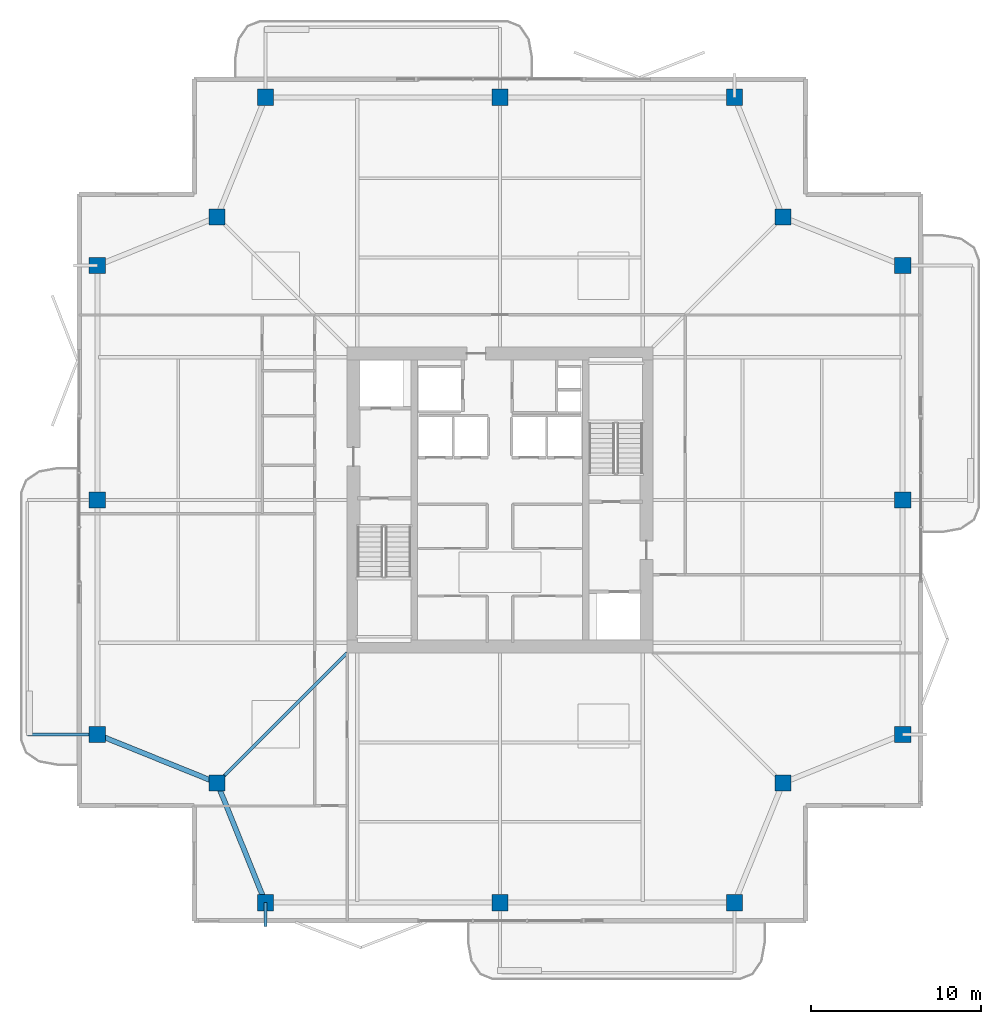
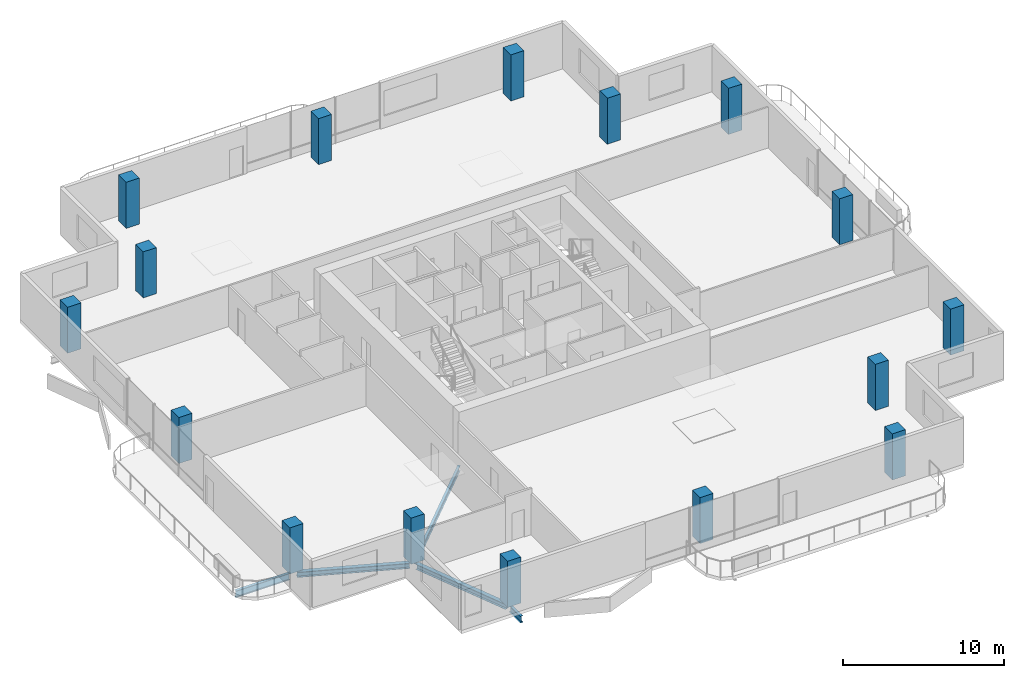
# One storey, part 1 of 24: 16 columns, 5 beams.
"""IFC4 building model written with IfcOpenShell, lengths in metres."""

from ifc_helpers import new_model, si_unit, direction, frame, origin, origin_2d, place, context, subcontext, project, spatial, rectangle, i_section, extrude, material, material_profile, profile_set, type_object, element, save


model = new_model("IFC4")

# Units and contexts
model_context = context("Model", 3, precision=1e-05, world=origin(), true_north=direction((0.0, 1.0)))
body_context = subcontext(model_context, "Body", "Model", "MODEL_VIEW")
ifc_project = project(units=[si_unit("LENGTHUNIT", "METRE"), si_unit("AREAUNIT", "SQUARE_METRE"), si_unit("VOLUMEUNIT", "CUBIC_METRE"), si_unit("PLANEANGLEUNIT", "RADIAN"), si_unit("MASSUNIT", "GRAM", prefix="KILO")], contexts=[model_context])

# Site, building, storey
site_placement = place(None, origin())
site = spatial("IfcSite", under=ifc_project, at=site_placement, CompositionType="ELEMENT")
building_placement = place(site_placement, origin())
building = spatial("IfcBuilding", under=site, at=building_placement, Name="Belovzor Exchange Tower", CompositionType="ELEMENT")
storey_placement = place(building_placement, frame((0.0, 0.0, 261.60009765625)))
storey = spatial("IfcBuildingStorey", under=building, at=storey_placement, Name="L65", CompositionType="ELEMENT", Elevation=261.60009765625)

# Columns
ifc_material_1 = material(Name="Concrete C50/60", Category="concrete")
ifc_material_profile_1 = material_profile(ifc_material_1, rectangle(XDim=0.949951171875, YDim=0.949951171875, at=origin_2d()))
ifc_profile_set_1 = profile_set([ifc_material_profile_1], Name="Concrete C50/60")
column_type = type_object("IfcColumnType", Name="Reinforced Concrete Tower Column 950x950", PredefinedType="COLUMN", material=ifc_profile_set_1)
for number, where, z_axis, x_axis, name in (
    (1, (15.0, 5.10009765625, 0.0029296875), (0.0, 0.0, 1.0), (1.0, 0.0, 0.0), "COL-T095 Reinforced Concrete Tower Column 950x950"),
    (2, (28.800048828125, 5.10009765625, 0.0029296875), (0.0, 0.0, 1.0), (1.0, 0.0, 0.0), "COL-T095 Reinforced Concrete Tower Column 950x950"),
    (3, (42.60009765625, 5.10009765625, 0.0029296875), (0.0, 0.0, 1.0), (1.0, 0.0, 0.0), "COL-T095 Reinforced Concrete Tower Column 950x950"),
    (4, (52.5, 15.0, 0.0029296875), (0.0, 0.0, 1.0), (1.0, 0.0, 0.0), "COL-T095 Reinforced Concrete Tower Column 950x950"),
    (5, (52.5, 28.800048828125, 0.0029296875), (0.0, 0.0, 1.0), (1.0, 0.0, 0.0), "COL-T095 Reinforced Concrete Tower Column 950x950"),
    (6, (52.5, 42.60009765625, 0.0029296875), (0.0, 0.0, 1.0), (1.0, 0.0, 0.0), "COL-T095 Reinforced Concrete Tower Column 950x950"),
    (7, (42.60009765625, 52.5, 0.0029296875), (0.0, 0.0, 1.0), (1.0, 0.0, 0.0), "COL-T095 Reinforced Concrete Tower Column 950x950"),
    (8, (28.800048828125, 52.5, 0.0029296875), (0.0, 0.0, 1.0), (1.0, 0.0, 0.0), "COL-T095 Reinforced Concrete Tower Column 950x950"),
    (9, (15.0, 52.5, 0.0029296875), (0.0, 0.0, 1.0), (1.0, 0.0, 0.0), "COL-T095 Reinforced Concrete Tower Column 950x950"),
    (10, (5.10009765625, 42.60009765625, 0.0029296875), (0.0, 0.0, 1.0), (1.0, 0.0, 0.0), "COL-T095 Reinforced Concrete Tower Column 950x950"),
    (11, (5.10009765625, 28.800048828125, 0.0029296875), (0.0, 0.0, 1.0), (1.0, 0.0, 0.0), "COL-T095 Reinforced Concrete Tower Column 950x950"),
    (12, (5.10009765625, 15.0, 0.0029296875), (0.0, 0.0, 1.0), (1.0, 0.0, 0.0), "COL-T095 Reinforced Concrete Tower Column 950x950"),
    (13, (12.14990234375, 12.14990234375, 0.0029296875), (0.0, 0.0, 1.0), (1.0, 0.0, 0.0), "COL-T095 Reinforced Concrete Tower Column 950x950"),
    (14, (45.449951171875, 12.14990234375, 0.0029296875), (0.0, 0.0, 1.0), (1.0, 0.0, 0.0), "COL-T095 Reinforced Concrete Tower Column 950x950"),
    (15, (45.449951171875, 45.449951171875, 0.0029296875), (0.0, 0.0, 1.0), (1.0, 0.0, 0.0), "COL-T095 Reinforced Concrete Tower Column 950x950"),
    (16, (12.14990234375, 45.449951171875, 0.0029296875), (0.0, 0.0, 1.0), (1.0, 0.0, 0.0), "COL-T095 Reinforced Concrete Tower Column 950x950"),
):
    element("IfcColumn", number, at=place(storey_placement, frame(where, z_axis=z_axis, x_axis=x_axis)), inside=storey, type_object=column_type, Name=name, PredefinedType="COLUMN", context=body_context, shape_type="SweptSolid", body=[
        extrude(rectangle(XDim=0.949951171875, YDim=0.949951171875, at=origin_2d()), origin(), (0.0, 0.0, 1.0), 3.493896484375),
    ])

# Beams
ifc_material_2 = material(Name="Steel S355", Category="steel")
ifc_material_profile_2 = material_profile(ifc_material_2, i_section(OverallWidth=0.199951171875, OverallDepth=0.5, WebThickness=0.01025390625, FlangeThickness=0.01611328125, at=origin_2d()))
ifc_profile_set_2 = profile_set([ifc_material_profile_2], Name="Steel S355")
beam_type_1 = type_object("IfcBeamType", Name="Planted Balcony Cantilever Beam IPE 500", PredefinedType="BEAM", material=ifc_profile_set_2)
beam_1_placement = place(storey_placement, frame((4.839111328125, 15.0, -0.5), z_axis=(-1.0, 0.0, 0.0), x_axis=(0.0, -1.0, 0.0)))
element("IfcBeam", 17, at=beam_1_placement, inside=storey, type_object=beam_type_1, Name="BC-500 Planted Balcony Cantilever Beam IPE 500", PredefinedType="BEAM", context=body_context, shape_type="SweptSolid", body=[
    extrude(i_section(OverallWidth=0.199951171875, OverallDepth=0.5, WebThickness=0.01025390625, FlangeThickness=0.01611328125, at=origin_2d()), origin(), (0.0, 0.0, 1.0), 3.85009765625),
])
beam_2_placement = place(storey_placement, frame((15.0, 5.10009765625, -0.5), z_axis=(0.0, -1.0, 0.0), x_axis=(1.0, 0.0, 0.0)))
element("IfcBeam", 18, at=beam_2_placement, inside=storey, type_object=beam_type_1, Name="BC-500 Planted Balcony Cantilever Beam IPE 500", PredefinedType="BEAM", context=body_context, shape_type="SweptSolid", body=[
    extrude(i_section(OverallWidth=0.199951171875, OverallDepth=0.5, WebThickness=0.01025390625, FlangeThickness=0.01611328125, at=origin_2d()), origin(), (0.0, 0.0, 1.0), 1.400146484375),
])
ifc_material_3 = material(Name="Steel S355", Category="steel")
ifc_material_profile_3 = material_profile(ifc_material_3, i_section(OverallWidth=0.300048828125, OverallDepth=0.39990234375, WebThickness=0.013427734375, FlangeThickness=0.02392578125, at=origin_2d()))
ifc_profile_set_3 = profile_set([ifc_material_profile_3], Name="Steel S355")
beam_type_2 = type_object("IfcBeamType", Name="Zone 5 Primary Girder HEB 400", PredefinedType="BEAM", material=ifc_profile_set_3)
for number, where, z_axis, x_axis, name in (
    (19, (12.248046875, 11.907958984375, -0.4501953125), (0.374758283536, -0.927122553345, 0.0), (0.927122553345, 0.374758283536, 0.0), "FG-Z5 Zone 5 Primary Girder HEB 400"),
    (20, (5.342041015625, 14.902099609375, -0.4501953125), (0.927122553345, -0.374758283536, 0.0), (0.374758283536, 0.927122553345, 0.0), "FG-Z5 Zone 5 Primary Girder HEB 400"),
):
    element("IfcBeam", number, at=place(storey_placement, frame(where, z_axis=z_axis, x_axis=x_axis)), inside=storey, type_object=beam_type_2, Name=name, PredefinedType="BEAM", context=body_context, shape_type="SweptSolid", body=[
        extrude(i_section(OverallWidth=0.300048828125, OverallDepth=0.39990234375, WebThickness=0.013427734375, FlangeThickness=0.02392578125, at=origin_2d()), origin(), (0.0, 0.0, 1.0), 7.08203125),
    ])
ifc_material_4 = material(Name="Steel S355", Category="steel")
ifc_material_profile_4 = material_profile(ifc_material_4, i_section(OverallWidth=0.179931640625, OverallDepth=0.39990234375, WebThickness=0.008544921875, FlangeThickness=0.013427734375, at=origin_2d()))
ifc_profile_set_4 = profile_set([ifc_material_profile_4], Name="Steel S355")
beam_type_3 = type_object("IfcBeamType", Name="Zone 5-6 Radial Composite Floor Beam IPE 400", PredefinedType="BEAM", material=ifc_profile_set_4)
beam_3_placement = place(storey_placement, frame((19.800048828125, 19.800048828125, -0.4501953125), z_axis=(-0.707106781187, -0.707106781187, 0.0), x_axis=(0.707106781187, -0.707106781187, 0.0)))
element("IfcBeam", 21, at=beam_3_placement, inside=storey, type_object=beam_type_3, Name="FB-400 Zone 5-6 Radial Composite Floor Beam IPE 400", PredefinedType="BEAM", context=body_context, shape_type="SweptSolid", body=[
    extrude(i_section(OverallWidth=0.179931640625, OverallDepth=0.39990234375, WebThickness=0.008544921875, FlangeThickness=0.013427734375, at=origin_2d()), origin(), (0.0, 0.0, 1.0), 10.482421875),
])

save(model, "model.ifc")
